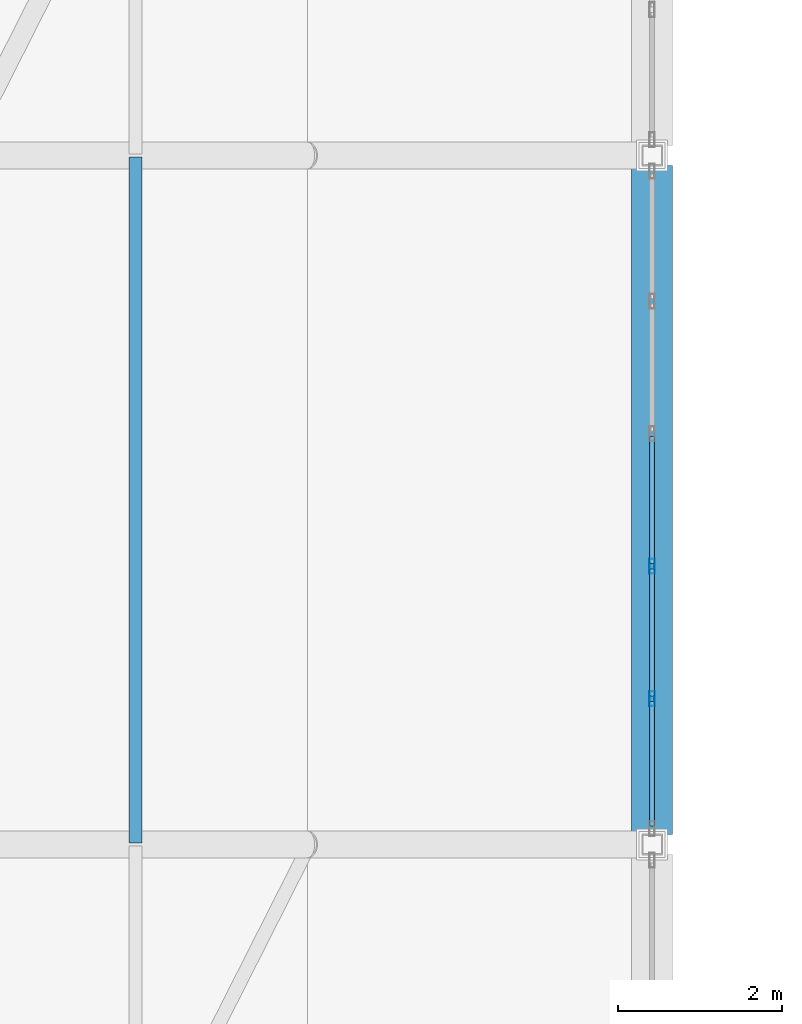
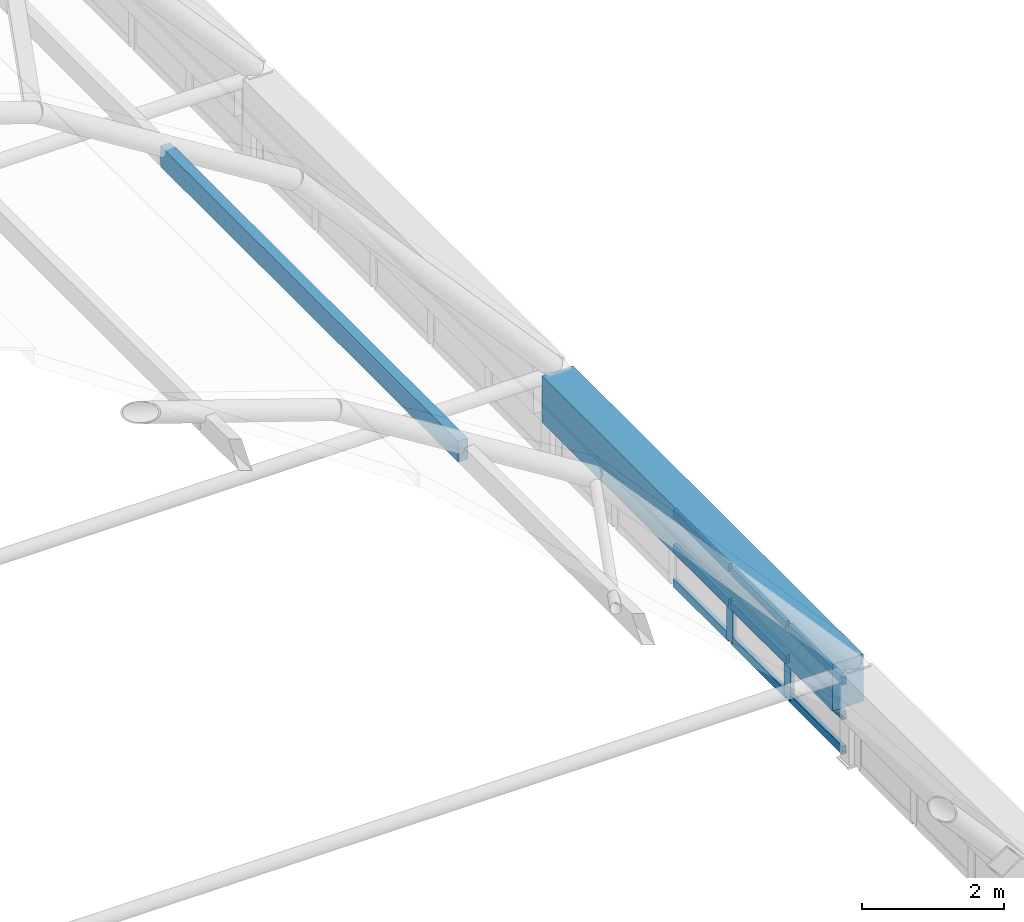
# One storey, part 38 of 114: 12 members, 1 beam, 1 element without a shape of its own.
"""IFC4 building model written with IfcOpenShell, lengths in metres."""

from ifc_helpers import new_model, si_unit, direction, frame, origin, origin_2d, place, context, subcontext, project, spatial, rectangle, hollow_rectangle, extrude, material, layer, layer_set, material_profile, profile_set, type_object, element, aggregate, save


model = new_model("IFC4")

# Units and contexts
model_context = context("Model", 3, precision=1e-05, world=origin(), true_north=direction((0.0, 1.0)))
body_context = subcontext(model_context, "Body", "Model", "MODEL_VIEW")
ifc_project = project(units=[si_unit("LENGTHUNIT", "METRE"), si_unit("AREAUNIT", "SQUARE_METRE"), si_unit("VOLUMEUNIT", "CUBIC_METRE"), si_unit("PLANEANGLEUNIT", "RADIAN"), si_unit("MASSUNIT", "GRAM", prefix="KILO")], contexts=[model_context])

# Site, building, storey
site_placement = place(None, origin())
site = spatial("IfcSite", under=ifc_project, at=site_placement, CompositionType="ELEMENT")
building_placement = place(site_placement, origin())
building = spatial("IfcBuilding", under=site, at=building_placement, Name="Xazarin Passage Department Store", CompositionType="ELEMENT")
storey_placement = place(building_placement, frame((0.0, 0.0, 14.39990234375)))
storey = spatial("IfcBuildingStorey", under=building, at=storey_placement, Name="L03", CompositionType="ELEMENT", Elevation=14.39990234375)

# Curtain wall, members
ifc_material_1 = material(Name="Bronze anodised aluminium", Category="aluminium")
ifc_layer = layer(ifc_material_1, 0.159912109375)
ifc_layer_set = layer_set([ifc_layer], Name="Bronze anodised aluminium")
curtain_wall_type = type_object("IfcCurtainWallType", Name="ARC-CW-ARC1", PredefinedType="NOTDEFINED", material=ifc_layer_set)
curtain_wall_placement = place(storey_placement, origin())
curtain_wall = element("IfcCurtainWall", 1, at=curtain_wall_placement, inside=storey, type_object=curtain_wall_type, Name="L03 V2N Galleria Clerestory Curtain Wall 2E", PredefinedType="NOTDEFINED")
ifc_material_profile_1 = material_profile(ifc_material_1, hollow_rectangle(XDim=0.06494140625, YDim=0.179931640625, WallThickness=0.00390625, at=origin_2d()), Name="ALU 65x180")
ifc_profile_set_1 = profile_set([ifc_material_profile_1], Name="Bronze anodised aluminium")
member_type_1 = type_object("IfcMemberType", Name="ARC-CWM-65x180", PredefinedType="MULLION", material=ifc_profile_set_1)
member_1_placement = place(storey_placement, frame((101.60009765625, 61.3759765625, 0.0), z_axis=(0.0, 0.0, 1.0), x_axis=(-1.0, 0.0, 0.0)))
member_1 = element("IfcMember", 2, at=member_1_placement, type_object=member_type_1, Name="CW3 mullion 2", PredefinedType="MULLION", context=body_context, shape_type="SweptSolid", body=[
    extrude(hollow_rectangle(XDim=0.06494140625, YDim=0.179931640625, WallThickness=0.00390625, at=origin_2d()), origin(), (0.0, 0.0, 1.0), 1.251708984375),
])
member_2_placement = place(storey_placement, frame((101.60009765625, 62.991943359375, 0.0), z_axis=(0.0, 0.0, 1.0), x_axis=(-1.0, 0.0, 0.0)))
member_2 = element("IfcMember", 3, at=member_2_placement, type_object=member_type_1, Name="CW3 mullion 3", PredefinedType="MULLION", context=body_context, shape_type="SweptSolid", body=[
    extrude(hollow_rectangle(XDim=0.06494140625, YDim=0.179931640625, WallThickness=0.00390625, at=origin_2d()), origin(), (0.0, 0.0, 1.0), 1.251708984375),
])
ifc_material_profile_2 = material_profile(ifc_material_1, hollow_rectangle(XDim=0.06494140625, YDim=0.139892578125, WallThickness=0.00390625, at=origin_2d()), Name="ALU 65x140")
ifc_profile_set_2 = profile_set([ifc_material_profile_2], Name="Bronze anodised aluminium")
member_type_2 = type_object("IfcMemberType", Name="ARC-CWT-65x140", PredefinedType="USERDEFINED", material=ifc_profile_set_2)
member_3_placement = place(storey_placement, frame((101.60009765625, 59.824951171875, 0.03271484375), z_axis=(0.0, 1.0, 0.0), x_axis=(-1.0, 0.0, 0.0)))
member_3 = element("IfcMember", 4, at=member_3_placement, type_object=member_type_2, Name="CW3 transom 1.1", ObjectType="TRANSOM", PredefinedType="USERDEFINED", context=body_context, shape_type="SweptSolid", body=[
    extrude(hollow_rectangle(XDim=0.06494140625, YDim=0.139892578125, WallThickness=0.00390625, at=origin_2d()), origin(), (0.0, 0.0, 1.0), 1.5185546875),
])
member_4_placement = place(storey_placement, frame((101.60009765625, 59.824951171875, 0.6259765625), z_axis=(0.0, 1.0, 0.0), x_axis=(-1.0, 0.0, 0.0)))
member_4 = element("IfcMember", 5, at=member_4_placement, type_object=member_type_2, Name="CW3 transom 1.2", ObjectType="TRANSOM", PredefinedType="USERDEFINED", context=body_context, shape_type="SweptSolid", body=[
    extrude(hollow_rectangle(XDim=0.06494140625, YDim=0.139892578125, WallThickness=0.00390625, at=origin_2d()), origin(), (0.0, 0.0, 1.0), 1.5185546875),
])
member_5_placement = place(storey_placement, frame((101.60009765625, 59.824951171875, 1.21923828125), z_axis=(0.0, 1.0, 0.0), x_axis=(-1.0, 0.0, 0.0)))
member_5 = element("IfcMember", 6, at=member_5_placement, type_object=member_type_2, Name="CW3 transom 1.3", ObjectType="TRANSOM", PredefinedType="USERDEFINED", context=body_context, shape_type="SweptSolid", body=[
    extrude(hollow_rectangle(XDim=0.06494140625, YDim=0.139892578125, WallThickness=0.00390625, at=origin_2d()), origin(), (0.0, 0.0, 1.0), 1.5185546875),
])
member_6_placement = place(storey_placement, frame((101.60009765625, 61.408447265625, 0.03271484375), z_axis=(0.0, 1.0, 0.0), x_axis=(-1.0, 0.0, 0.0)))
member_6 = element("IfcMember", 7, at=member_6_placement, type_object=member_type_2, Name="CW3 transom 2.1", ObjectType="TRANSOM", PredefinedType="USERDEFINED", context=body_context, shape_type="SweptSolid", body=[
    extrude(hollow_rectangle(XDim=0.06494140625, YDim=0.139892578125, WallThickness=0.00390625, at=origin_2d()), origin(), (0.0, 0.0, 1.0), 1.551025390625),
])
member_7_placement = place(storey_placement, frame((101.60009765625, 61.408447265625, 0.6259765625), z_axis=(0.0, 1.0, 0.0), x_axis=(-1.0, 0.0, 0.0)))
member_7 = element("IfcMember", 8, at=member_7_placement, type_object=member_type_2, Name="CW3 transom 2.2", ObjectType="TRANSOM", PredefinedType="USERDEFINED", context=body_context, shape_type="SweptSolid", body=[
    extrude(hollow_rectangle(XDim=0.06494140625, YDim=0.139892578125, WallThickness=0.00390625, at=origin_2d()), origin(), (0.0, 0.0, 1.0), 1.551025390625),
])
member_8_placement = place(storey_placement, frame((101.60009765625, 61.408447265625, 1.21923828125), z_axis=(0.0, 1.0, 0.0), x_axis=(-1.0, 0.0, 0.0)))
member_8 = element("IfcMember", 9, at=member_8_placement, type_object=member_type_2, Name="CW3 transom 2.3", ObjectType="TRANSOM", PredefinedType="USERDEFINED", context=body_context, shape_type="SweptSolid", body=[
    extrude(hollow_rectangle(XDim=0.06494140625, YDim=0.139892578125, WallThickness=0.00390625, at=origin_2d()), origin(), (0.0, 0.0, 1.0), 1.551025390625),
])
member_9_placement = place(storey_placement, frame((101.60009765625, 63.0244140625, 0.03271484375), z_axis=(0.0, 1.0, 0.0), x_axis=(-1.0, 0.0, 0.0)))
member_9 = element("IfcMember", 10, at=member_9_placement, type_object=member_type_2, Name="CW3 transom 3.1", ObjectType="TRANSOM", PredefinedType="USERDEFINED", context=body_context, shape_type="SweptSolid", body=[
    extrude(hollow_rectangle(XDim=0.06494140625, YDim=0.139892578125, WallThickness=0.00390625, at=origin_2d()), origin(), (0.0, 0.0, 1.0), 1.551025390625),
])
member_10_placement = place(storey_placement, frame((101.60009765625, 63.0244140625, 0.6259765625), z_axis=(0.0, 1.0, 0.0), x_axis=(-1.0, 0.0, 0.0)))
member_10 = element("IfcMember", 11, at=member_10_placement, type_object=member_type_2, Name="CW3 transom 3.2", ObjectType="TRANSOM", PredefinedType="USERDEFINED", context=body_context, shape_type="SweptSolid", body=[
    extrude(hollow_rectangle(XDim=0.06494140625, YDim=0.139892578125, WallThickness=0.00390625, at=origin_2d()), origin(), (0.0, 0.0, 1.0), 1.551025390625),
])
member_11_placement = place(storey_placement, frame((101.60009765625, 63.0244140625, 1.21923828125), z_axis=(0.0, 1.0, 0.0), x_axis=(-1.0, 0.0, 0.0)))
member_11 = element("IfcMember", 12, at=member_11_placement, type_object=member_type_2, Name="CW3 transom 3.3", ObjectType="TRANSOM", PredefinedType="USERDEFINED", context=body_context, shape_type="SweptSolid", body=[
    extrude(hollow_rectangle(XDim=0.06494140625, YDim=0.139892578125, WallThickness=0.00390625, at=origin_2d()), origin(), (0.0, 0.0, 1.0), 1.551025390625),
])
aggregate(curtain_wall, [member_1, member_2, member_3, member_4, member_5, member_6, member_7, member_8, member_9, member_10, member_11])

# Beam
ifc_material_2 = material(Name="Concrete C40/50", Category="concrete")
ifc_material_profile_3 = material_profile(ifc_material_2, rectangle(XDim=0.5, YDim=0.800048828125, at=origin_2d()), Name="RC 500x800")
ifc_profile_set_3 = profile_set([ifc_material_profile_3], Name="Concrete C40/50")
beam_type = type_object("IfcBeamType", Name="STR-BM-RG500x800", PredefinedType="BEAM", material=ifc_profile_set_3)
beam_placement = place(storey_placement, frame((101.60009765625, 59.719970703125, 1.251708984375), z_axis=(0.0, 1.0, 0.0), x_axis=(-1.0, 0.0, 0.0)))
element("IfcBeam", 13, at=beam_placement, inside=storey, type_object=beam_type, Name="V2N Springing Ring Girder E-2", PredefinedType="BEAM", context=body_context, shape_type="SweptSolid", body=[
    extrude(rectangle(XDim=0.5, YDim=0.800048828125, at=origin_2d()), origin(), (0.0, 0.0, 1.0), 8.159912109375),
])

# Member
ifc_material_3 = material(Name="Glulam GL28h", Category="wood")
ifc_material_profile_4 = material_profile(ifc_material_3, rectangle(XDim=0.159912109375, YDim=0.360107421875, at=origin_2d()), Name="GL28h 160x360")
ifc_profile_set_4 = profile_set([ifc_material_profile_4], Name="Glulam GL28h")
member_type_3 = type_object("IfcMemberType", Name="STR-MEM-GL360", PredefinedType="PURLIN", material=ifc_profile_set_4)
member_12_placement = place(storey_placement, frame((95.300048828125, 59.6201171875, 7.50341796875), z_axis=(0.0, 1.0, 0.0), x_axis=(-1.0, 0.0, 0.0)))
element("IfcMember", 14, at=member_12_placement, inside=storey, type_object=member_type_3, Name="V2N Glulam Gridshell Purlin 2.7", PredefinedType="PURLIN", context=body_context, shape_type="SweptSolid", body=[
    extrude(rectangle(XDim=0.159912109375, YDim=0.360107421875, at=origin_2d()), origin(), (0.0, 0.0, 1.0), 8.35986328125),
])

save(model, "model.ifc")
